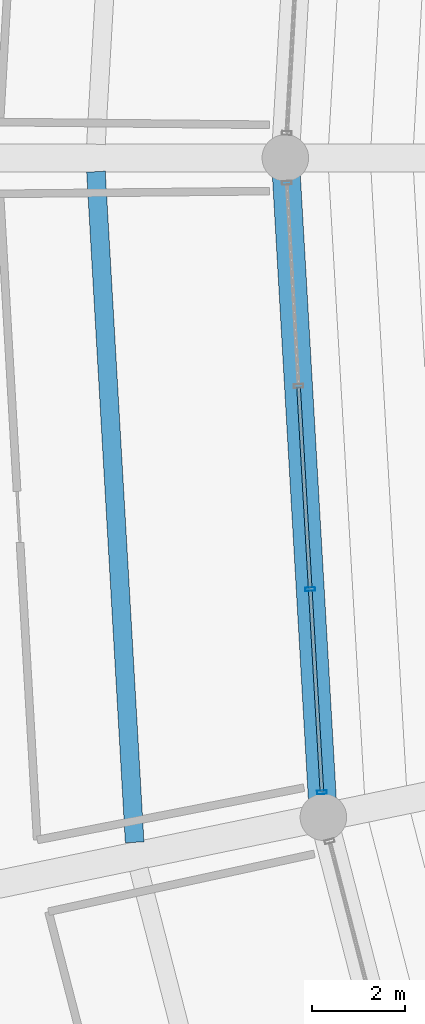
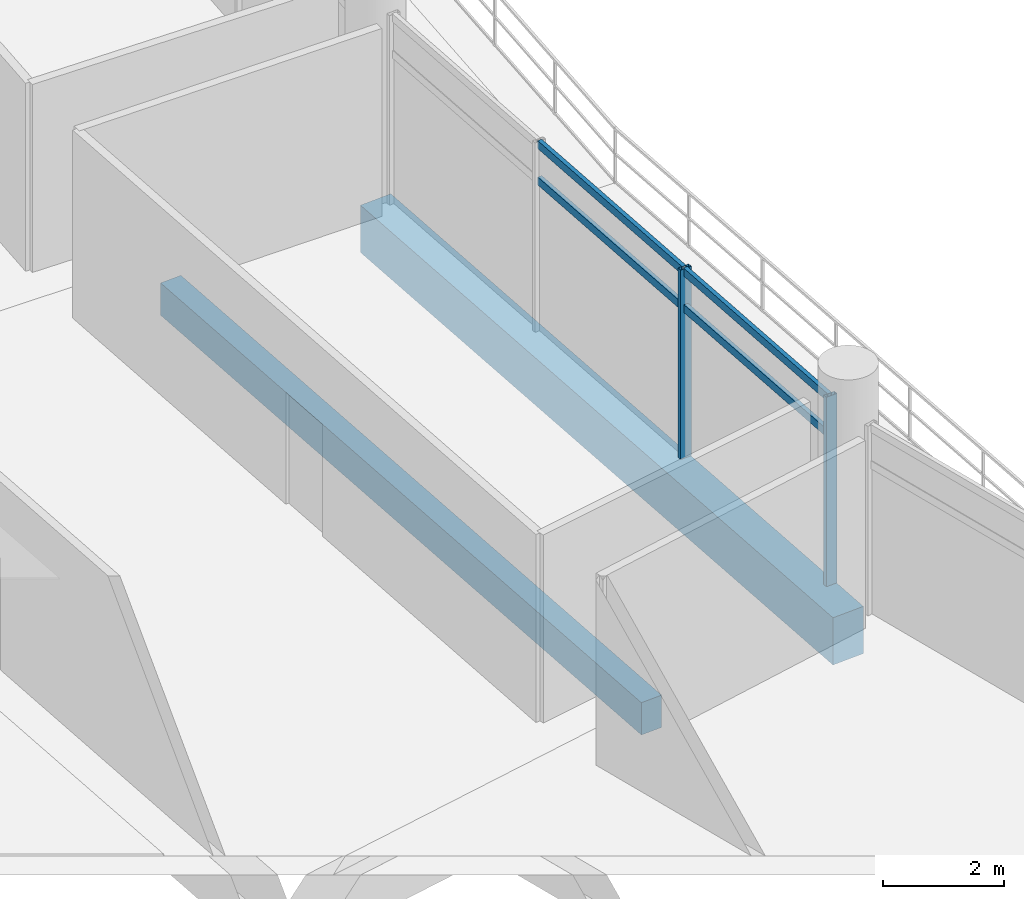
# One storey, part 34 of 171: 6 members, 2 beams, 1 element without a shape of its own.
"""IFC4 building model written with IfcOpenShell, lengths in metres."""

import ifcopenshell
import ifcopenshell.guid

model = None  # the IFC model being written
_history = None  # IfcOwnerHistory: only IFC2X3 demands one
_inside = {}  # id of a spatial element -> (the spatial element, [elements in it])
_under = {}  # id of a project, library or spatial element -> (it, [spatial elements below it])
_declared = {}  # id of a project -> (the project, [libraries it declares])
_typed = {}  # id of a type object -> (the type object, [elements of that type])
_made_of = {}  # id of a material, layer set ... -> (it, [elements and type objects made of it])


def new_model(schema):
    """Start an empty IFC model of exactly this schema.

    Asked for "IFC4X3", IfcOpenShell would pick the latest addendum, in which some entities
    have other attributes; the version numbers below select the first issue.
    IFC2X3 requires an IfcOwnerHistory on every rooted entity: one is made here for all.
    """
    global model, _history
    if schema == "IFC4X3":
        model = ifcopenshell.file(schema_version=(4, 3, 0, 0))
    else:
        model = ifcopenshell.file(schema=schema)
    _inside.clear()
    _under.clear()
    _declared.clear()
    _typed.clear()
    _made_of.clear()
    _history = None
    if model.schema == "IFC2X3":
        org = make("IfcOrganization", Name="unknown")
        user = make(
            "IfcPersonAndOrganization",
            ThePerson=make("IfcPerson", FamilyName="unknown"),
            TheOrganization=org,
        )
        app = make(
            "IfcApplication",
            ApplicationDeveloper=org,
            Version="unknown",
            ApplicationFullName="unknown",
            ApplicationIdentifier="unknown",
        )
        _history = make(
            "IfcOwnerHistory",
            OwningUser=user,
            OwningApplication=app,
            ChangeAction="ADDED",
            CreationDate=0,
        )
    return model


def make(cls, **values):
    """One entity of the class cls with the attributes given. An attribute that is None is left unset."""
    return model.create_entity(
        cls, **{name: value for name, value in values.items() if value is not None}
    )


def rooted(cls, **values):
    """An entity with a GlobalId (a new one), such as an element, a storey or a relation."""
    return make(cls, GlobalId=ifcopenshell.guid.new(), OwnerHistory=_history, **values)


def si_unit(unit_type, name, prefix=None):
    """IfcSIUnit, for example si_unit("LENGTHUNIT", "METRE", prefix="MILLI")."""
    return make("IfcSIUnit", UnitType=unit_type, Prefix=prefix, Name=name)


def assignment(units):
    """IfcUnitAssignment: the units of a project."""
    return None if units is None else make("IfcUnitAssignment", Units=units)


def point(xyz):
    """IfcCartesianPoint."""
    return None if xyz is None else make("IfcCartesianPoint", Coordinates=xyz)


def direction(xyz):
    """IfcDirection."""
    return None if xyz is None else make("IfcDirection", DirectionRatios=xyz)


def frame(location, z_axis=None, x_axis=None):
    """IfcAxis2Placement3D, a coordinate frame: its origin and axes. An axis left out is left unset."""
    return make(
        "IfcAxis2Placement3D",
        Location=point(location),
        Axis=direction(z_axis),
        RefDirection=direction(x_axis),
    )


def frame_2d(location, x_axis=None):
    """IfcAxis2Placement2D, a coordinate frame in the plane: its origin and x axis."""
    return make(
        "IfcAxis2Placement2D", Location=point(location), RefDirection=direction(x_axis)
    )


def origin():
    """The frame at (0, 0, 0) with its axes left unset."""
    return frame((0.0, 0.0, 0.0))


def origin_2d():
    """The frame at (0, 0) in the plane with its x axis left unset."""
    return frame_2d((0.0, 0.0))


def place(relative_to, where):
    """IfcLocalPlacement: puts the frame where relative to a parent placement (None: the world)."""
    return make(
        "IfcLocalPlacement", PlacementRelTo=relative_to, RelativePlacement=where
    )


def context(
    kind, dimensions, precision=None, world=None, true_north=None, identifier=None
):
    """IfcGeometricRepresentationContext, for example the 3D "Model" context."""
    return make(
        "IfcGeometricRepresentationContext",
        ContextIdentifier=identifier,
        ContextType=kind,
        CoordinateSpaceDimension=dimensions,
        Precision=precision,
        WorldCoordinateSystem=world,
        TrueNorth=true_north,
    )


def subcontext(parent, identifier, kind, view, scale=None):
    """IfcGeometricRepresentationSubContext, for example "Body" below "Model"."""
    return make(
        "IfcGeometricRepresentationSubContext",
        ContextIdentifier=identifier,
        ContextType=kind,
        ParentContext=parent,
        TargetScale=scale,
        TargetView=view,
    )


def project(units=None, contexts=None):
    """IfcProject with its units and contexts."""
    return rooted(
        "IfcProject",
        Name="project",
        RepresentationContexts=contexts,
        UnitsInContext=assignment(units),
    )


def spatial(cls, under=None, at=None, **own):
    """A site, building, storey or space (cls), placed at a placement, below another one or the project."""
    s = rooted(cls, ObjectPlacement=at, **own)
    if under is not None:
        _under.setdefault(under.id(), (under, []))[1].append(s)
    return s


def profile(cls, at=None, kind="AREA", **sizes):
    """A parametric profile (cls). Its sizes go by their IFC names, for example OverallWidth=200.0."""
    return make(cls, ProfileType=kind, Position=at, **sizes)


def rectangle(**sizes):
    """IfcRectangleProfileDef."""
    return profile("IfcRectangleProfileDef", **sizes)


def hollow_rectangle(**sizes):
    """IfcRectangleHollowProfileDef."""
    return profile("IfcRectangleHollowProfileDef", **sizes)


def extrude(swept, where, along, depth):
    """IfcExtrudedAreaSolid: the profile swept, set in the frame where, extruded along a direction by depth."""
    return make(
        "IfcExtrudedAreaSolid",
        SweptArea=swept,
        Position=where,
        ExtrudedDirection=direction(along),
        Depth=depth,
    )


def shape(context_of_items, identifier, shape_type, items):
    """IfcShapeRepresentation: the items that make up one representation, for example the "Body"."""
    return make(
        "IfcShapeRepresentation",
        ContextOfItems=context_of_items,
        RepresentationIdentifier=identifier,
        RepresentationType=shape_type,
        Items=items,
    )


def material(Name=None, Category=None):
    """IfcMaterial."""
    return make("IfcMaterial", Name=Name, Category=Category)


def layer(
    of_material, thickness, ventilated=None, Name=None, Category=None, Priority=None
):
    """IfcMaterialLayer: one layer of a wall or slab, of a material (None: an air gap)."""
    return make(
        "IfcMaterialLayer",
        Material=of_material,
        LayerThickness=thickness,
        IsVentilated=ventilated,
        Name=Name,
        Category=Category,
        Priority=Priority,
    )


def layer_set(layers, Name=None):
    """IfcMaterialLayerSet."""
    return make("IfcMaterialLayerSet", MaterialLayers=layers, LayerSetName=Name)


def material_profile(
    of_material, cross_section, Name=None, Category=None, Priority=None
):
    """IfcMaterialProfile: a cross section and its material."""
    return make(
        "IfcMaterialProfile",
        Name=Name,
        Material=of_material,
        Profile=cross_section,
        Priority=Priority,
        Category=Category,
    )


def profile_set(profiles, Name=None, composite=None):
    """IfcMaterialProfileSet."""
    return make(
        "IfcMaterialProfileSet",
        Name=Name,
        MaterialProfiles=profiles,
        CompositeProfile=composite,
    )


def made_of(thing, what):
    """Note that an element or type object is made of a material, layer set ...; save() writes the relation."""
    if what is not None:
        _made_of.setdefault(what.id(), (what, []))[1].append(thing)
    return thing


def type_object(cls, material=None, **own):
    """A type object (cls), such as IfcWallType, which elements share."""
    return made_of(rooted(cls, **own), material)


def element(
    cls,
    number,
    at=None,
    inside=None,
    cuts=None,
    type_object=None,
    material=None,
    context=None,
    identifier="Body",
    shape_type=None,
    held_by="IfcProductDefinitionShape",
    body=None,
    shapes=None,
    **own,
):
    """One element of the class cls, such as IfcWall. Its Tag is "e" and its number.

    at: its placement. inside: the storey or other place that contains it. cuts: it is an
    opening in that element (IfcRelVoidsElement). A single representation is given by context,
    identifier, shape_type and body (its items); several are given by shapes. held_by: the class
    of the entity that holds the representations. save() writes the other relations.
    """
    e = rooted(cls, Tag="e%d" % number, ObjectPlacement=at, **own)
    if body is not None:
        shapes = [shape(context, identifier, shape_type, body)]
    if shapes is not None:
        e.Representation = make(held_by, Representations=shapes)
    if inside is not None:
        _inside.setdefault(inside.id(), (inside, []))[1].append(e)
    if cuts is not None:
        rooted(
            "IfcRelVoidsElement", RelatingBuildingElement=cuts, RelatedOpeningElement=e
        )
    if type_object is not None:
        _typed.setdefault(type_object.id(), (type_object, []))[1].append(e)
    return made_of(e, material)


def aggregate(whole, parts):
    """IfcRelAggregates: a whole, such as a stair, and the parts it consists of."""
    return rooted("IfcRelAggregates", RelatingObject=whole, RelatedObjects=parts)


def save(model, path):
    """Write the relations noted so far, then the file.

    IfcRelAggregates (storeys below a building ...), IfcRelContainedInSpatialStructure (elements
    in a storey), IfcRelDefinesByType, IfcRelAssociatesMaterial and IfcRelDeclares: one each for
    every whole, place, type object, material and project.
    """
    for whole, parts in _under.values():
        aggregate(whole, parts)
    for where, things in _inside.values():
        rooted(
            "IfcRelContainedInSpatialStructure",
            RelatedElements=things,
            RelatingStructure=where,
        )
    for kind, things in _typed.values():
        rooted("IfcRelDefinesByType", RelatedObjects=things, RelatingType=kind)
    for what, things in _made_of.values():
        rooted("IfcRelAssociatesMaterial", RelatedObjects=things, RelatingMaterial=what)
    for by, libraries in _declared.values():
        rooted("IfcRelDeclares", RelatingContext=by, RelatedDefinitions=libraries)
    model.write(path)


model = new_model("IFC4")

# Units and contexts
model_context = context("Model", 3, precision=1e-05, world=origin(), true_north=direction((0.0, 1.0)))
body_context = subcontext(model_context, "Body", "Model", "MODEL_VIEW")
ifc_project = project(units=[si_unit("LENGTHUNIT", "METRE"), si_unit("AREAUNIT", "SQUARE_METRE"), si_unit("VOLUMEUNIT", "CUBIC_METRE"), si_unit("PLANEANGLEUNIT", "RADIAN"), si_unit("MASSUNIT", "GRAM", prefix="KILO")], contexts=[model_context])

# Site, building, storey
site_placement = place(None, origin())
site = spatial("IfcSite", under=ifc_project, at=site_placement, CompositionType="ELEMENT")
building_placement = place(site_placement, origin())
building = spatial("IfcBuilding", under=site, at=building_placement, Name="Kazemori Nagisa Stadium", CompositionType="ELEMENT")
storey_placement = place(building_placement, frame((0.0, 0.0, 15.639892578125)))
storey = spatial("IfcBuildingStorey", under=building, at=storey_placement, Name="L03", CompositionType="ELEMENT", Elevation=15.639892578125)

# Beams
ifc_material_1 = material(Name="Concrete C40/50 (Fc42)", Category="concrete")
ifc_material_profile_1 = material_profile(ifc_material_1, rectangle(XDim=0.60009765625, YDim=0.949951171875, at=origin_2d()), Name="RC-BM-600x950")
ifc_profile_set_1 = profile_set([ifc_material_profile_1], Name="Concrete C40/50 (Fc42)")
beam_type_1 = type_object("IfcBeamType", Name="Beam_BG-RC600X950", PredefinedType="BEAM", material=ifc_profile_set_1)
beam_1_placement = place(storey_placement, frame((53.64990234375, 102.0, -0.73486328125), z_axis=(0.057610061423, -0.998339161219, 0.0), x_axis=(0.998339161219, 0.057610061423, 0.0)))
element("IfcBeam", 1, at=beam_1_placement, inside=storey, type_object=beam_type_1, Name="Ring girder BG-RC600X950 L03 R1-15", PredefinedType="BEAM", context=body_context, shape_type="SweptSolid", body=[
    extrude(rectangle(XDim=0.60009765625, YDim=0.949951171875, at=origin_2d()), origin(), (0.0, 0.0, 1.0), 14.183837890625),
])
ifc_material_profile_2 = material_profile(ifc_material_1, rectangle(XDim=0.39990234375, YDim=0.64990234375, at=origin_2d()), Name="RC-BM-400x650")
ifc_profile_set_2 = profile_set([ifc_material_profile_2], Name="Concrete C40/50 (Fc42)")
beam_type_2 = type_object("IfcBeamType", Name="Beam_BJ-RC400X650", PredefinedType="JOIST", material=ifc_profile_set_2)
beam_2_placement = place(storey_placement, frame((49.58203125, 101.70556640625, -0.5849609375), z_axis=(0.057594265016, -0.998340072639, 0.0), x_axis=(0.998340072639, 0.057594265016, 0.0)))
element("IfcBeam", 2, at=beam_2_placement, inside=storey, type_object=beam_type_2, Name="Concourse joist BJ-RC400X650 L03 B15-1", PredefinedType="JOIST", context=body_context, shape_type="SweptSolid", body=[
    extrude(rectangle(XDim=0.39990234375, YDim=0.64990234375, at=origin_2d()), origin(), (0.0, 0.0, 1.0), 14.429443359375),
])

# Curtain wall, members
ifc_material_2 = material(Name="Anodised aluminium 6063-T5", Category="aluminium")
ifc_layer = layer(ifc_material_2, 0.2099609375, Name="Anodised aluminium 6063-T5", Category="aluminium")
ifc_layer_set = layer_set([ifc_layer], Name="Anodised aluminium 6063-T5")
curtain_wall_type = type_object("IfcCurtainWallType", Name="CW_L03B_66", PredefinedType="USERDEFINED", material=ifc_layer_set)
curtain_wall_placement = place(storey_placement, origin())
curtain_wall = element("IfcCurtainWall", 3, at=curtain_wall_placement, inside=storey, type_object=curtain_wall_type, Name="Unitised curtain wall CW-L03B-66 L03", ObjectType="UNITISED CURTAIN WALL", PredefinedType="USERDEFINED")
ifc_material_3 = material(Name="Aluminium 6063-T5 anodised", Category="aluminium")
ifc_material_profile_3 = material_profile(ifc_material_3, hollow_rectangle(XDim=0.080078125, YDim=0.2099609375, WallThickness=0.0048828125, at=origin_2d()), Name="ALU-MULL-80x210x5")
ifc_profile_set_3 = profile_set([ifc_material_profile_3], Name="Aluminium 6063-T5 anodised")
member_type_1 = type_object("IfcMemberType", Name="Mullion_M02", PredefinedType="MULLION", material=ifc_profile_set_3)
member_1_placement = place(storey_placement, frame((54.184326171875, 92.73779296875, 0.0), z_axis=(0.0, 0.0, 1.0), x_axis=(0.057601670941, -0.998339645364, 0.0)))
member_1 = element("IfcMember", 4, at=member_1_placement, type_object=member_type_1, Name="Curtain wall mullion CW-L03B-66-M3", PredefinedType="MULLION", context=body_context, shape_type="SweptSolid", body=[
    extrude(hollow_rectangle(XDim=0.080078125, YDim=0.2099609375, WallThickness=0.0048828125, at=origin_2d()), origin(), (0.0, 0.0, 1.0), 3.81005859375),
])
member_2_placement = place(storey_placement, frame((54.436279296875, 88.373779296875, 0.0), z_axis=(0.0, 0.0, 1.0), x_axis=(0.057601670941, -0.998339645364, 0.0)))
member_2 = element("IfcMember", 5, at=member_2_placement, type_object=member_type_1, Name="Curtain wall mullion CW-L03B-66-M4", PredefinedType="MULLION", context=body_context, shape_type="SweptSolid", body=[
    extrude(hollow_rectangle(XDim=0.080078125, YDim=0.2099609375, WallThickness=0.0048828125, at=origin_2d()), origin(), (0.0, 0.0, 1.0), 3.81005859375),
])
ifc_material_profile_4 = material_profile(ifc_material_3, hollow_rectangle(XDim=0.080078125, YDim=0.159912109375, WallThickness=0.00390625, at=origin_2d()), Name="ALU-TRAN-80x160x4")
ifc_profile_set_4 = profile_set([ifc_material_profile_4], Name="Aluminium 6063-T5 anodised")
member_type_2 = type_object("IfcMemberType", Name="Transom_T02", PredefinedType="USERDEFINED", material=ifc_profile_set_4)
member_3_placement = place(storey_placement, frame((53.933837890625, 97.081787109375, 3.010009765625), z_axis=(0.057608419603, -0.99833925596, 0.0), x_axis=(0.99833925596, 0.057608419603, 0.0)))
member_3 = element("IfcMember", 6, at=member_3_placement, type_object=member_type_2, Name="Curtain wall transom CW-L03B-66-T2-mid", ObjectType="TRANSOM", PredefinedType="USERDEFINED", context=body_context, shape_type="SweptSolid", body=[
    extrude(hollow_rectangle(XDim=0.080078125, YDim=0.159912109375, WallThickness=0.00390625, at=origin_2d()), origin(), (0.0, 0.0, 1.0), 4.3310546875),
])
member_4_placement = place(storey_placement, frame((53.933837890625, 97.081787109375, 3.739990234375), z_axis=(0.057608419603, -0.99833925596, 0.0), x_axis=(0.99833925596, 0.057608419603, 0.0)))
member_4 = element("IfcMember", 7, at=member_4_placement, type_object=member_type_2, Name="Curtain wall transom CW-L03B-66-T2-head", ObjectType="TRANSOM", PredefinedType="USERDEFINED", context=body_context, shape_type="SweptSolid", body=[
    extrude(hollow_rectangle(XDim=0.080078125, YDim=0.159912109375, WallThickness=0.00390625, at=origin_2d()), origin(), (0.0, 0.0, 1.0), 4.3310546875),
])
member_5_placement = place(storey_placement, frame((54.185546875, 92.7177734375, 3.010009765625), z_axis=(0.057608419603, -0.99833925596, 0.0), x_axis=(0.99833925596, 0.057608419603, 0.0)))
member_5 = element("IfcMember", 8, at=member_5_placement, type_object=member_type_2, Name="Curtain wall transom CW-L03B-66-T3-mid", ObjectType="TRANSOM", PredefinedType="USERDEFINED", context=body_context, shape_type="SweptSolid", body=[
    extrude(hollow_rectangle(XDim=0.080078125, YDim=0.159912109375, WallThickness=0.00390625, at=origin_2d()), origin(), (0.0, 0.0, 1.0), 4.3310546875),
])
member_6_placement = place(storey_placement, frame((54.185546875, 92.7177734375, 3.739990234375), z_axis=(0.057608419603, -0.99833925596, 0.0), x_axis=(0.99833925596, 0.057608419603, 0.0)))
member_6 = element("IfcMember", 9, at=member_6_placement, type_object=member_type_2, Name="Curtain wall transom CW-L03B-66-T3-head", ObjectType="TRANSOM", PredefinedType="USERDEFINED", context=body_context, shape_type="SweptSolid", body=[
    extrude(hollow_rectangle(XDim=0.080078125, YDim=0.159912109375, WallThickness=0.00390625, at=origin_2d()), origin(), (0.0, 0.0, 1.0), 4.3310546875),
])
aggregate(curtain_wall, [member_1, member_2, member_3, member_4, member_5, member_6])

save(model, "model.ifc")
